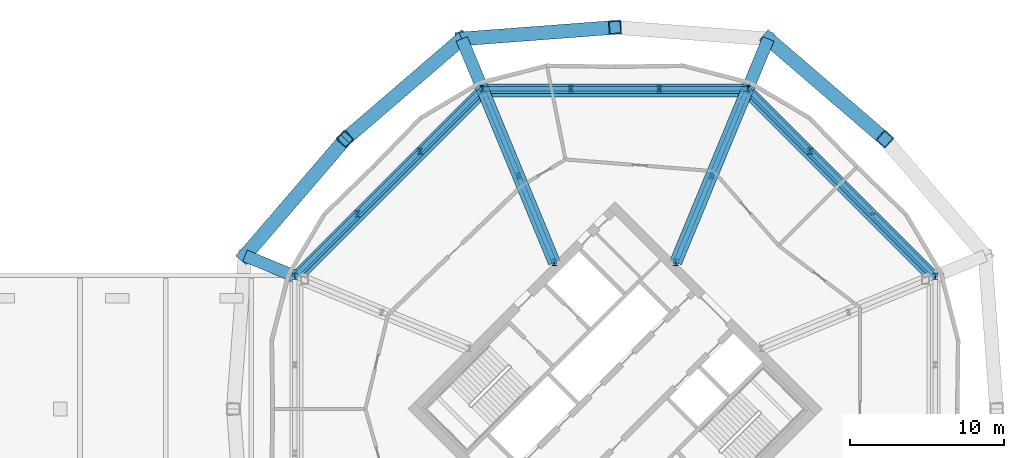
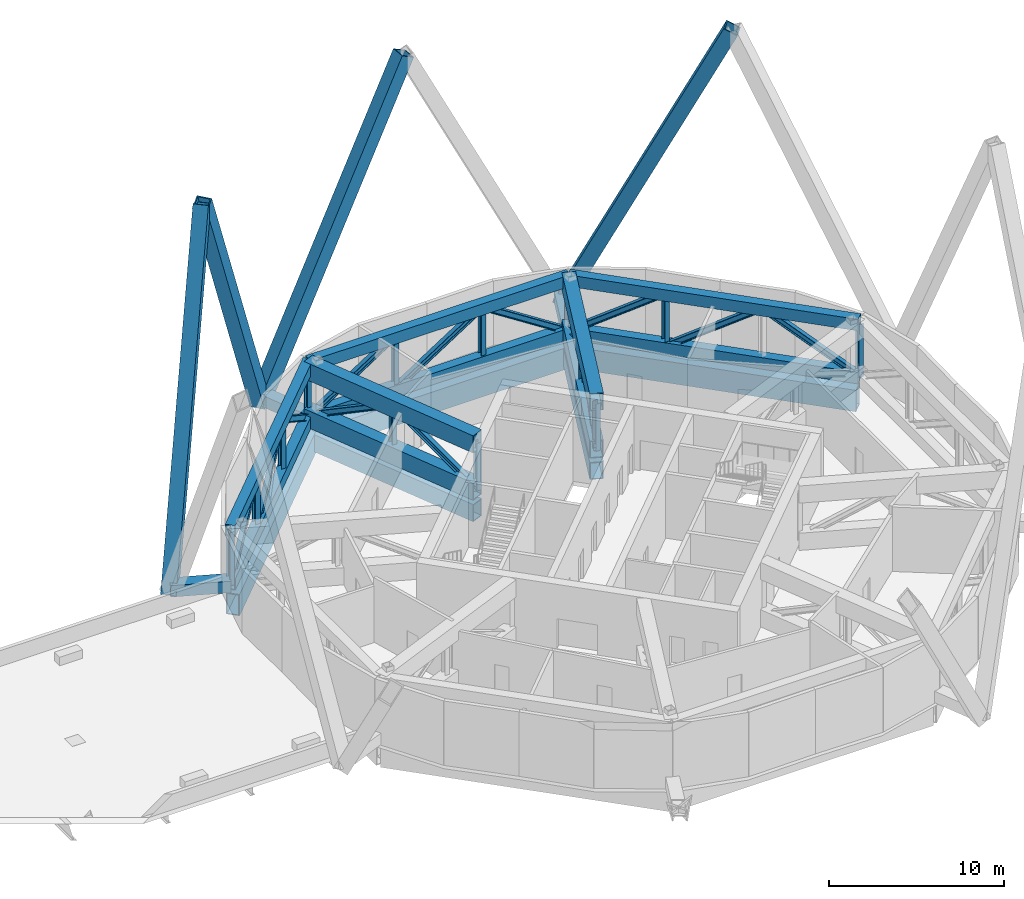
# One storey, part 9 of 20: 40 members, 8 beams.
"""IFC4 building model written with IfcOpenShell, lengths in metres."""

from ifc_helpers import new_model, si_unit, direction, frame, origin, origin_2d, place, context, subcontext, project, spatial, hollow_rectangle, i_section, extrude, material, material_profile, profile_set, type_object, element, save


model = new_model("IFC4")

# Units and contexts
model_context = context("Model", 3, precision=1e-05, world=origin(), true_north=direction((0.0, 1.0)))
body_context = subcontext(model_context, "Body", "Model", "MODEL_VIEW")
ifc_project = project(units=[si_unit("LENGTHUNIT", "METRE"), si_unit("AREAUNIT", "SQUARE_METRE"), si_unit("VOLUMEUNIT", "CUBIC_METRE"), si_unit("PLANEANGLEUNIT", "RADIAN"), si_unit("MASSUNIT", "GRAM", prefix="KILO")], contexts=[model_context])

# Site, building, storey
site_placement = place(None, origin())
site = spatial("IfcSite", under=ifc_project, at=site_placement, CompositionType="ELEMENT")
building_placement = place(site_placement, origin())
building = spatial("IfcBuilding", under=site, at=building_placement, Name="Ogive Gate Towers", CompositionType="ELEMENT")
storey_placement = place(building_placement, frame((0.0, 0.0, 160.800048828125)))
storey = spatial("IfcBuildingStorey", under=building, at=storey_placement, Name="L38", CompositionType="ELEMENT", Elevation=160.800048828125)

# Members
ifc_material = material(Name="Steel SM460", Category="steel")
ifc_material_profile_1 = material_profile(ifc_material, hollow_rectangle(XDim=0.89990234375, YDim=0.89990234375, WallThickness=0.070068359375, at=origin_2d()), Name="BX 900x900x70")
ifc_profile_set_1 = profile_set([ifc_material_profile_1], Name="Steel SM460")
member_type_1 = type_object("IfcMemberType", Name="Diagrid diagonal BX 900x900x70", PredefinedType="BRACE", material=ifc_profile_set_1)
member_1_placement = place(storey_placement, frame((45.94580078125, 24.01171875, 0.0), z_axis=(0.333025507377, -0.286407312058, 0.898367888471), x_axis=(0.652046304076, 0.758179145942, 0.0)))
element("IfcMember", 1, at=member_1_placement, inside=storey, type_object=member_type_1, Name="T2/L38/SDG003", PredefinedType="BRACE", context=body_context, shape_type="SweptSolid", body=[
    extrude(hollow_rectangle(XDim=0.89990234375, YDim=0.89990234375, WallThickness=0.070068359375, at=origin_2d()), origin(), (0.0, 0.0, 1.0), 22.707763671875),
])
member_2_placement = place(storey_placement, frame((26.05419921875, 24.01171875, 0.0), z_axis=(0.437994442779, 0.032953335145, 0.898373500165), x_axis=(-0.075024836873, 0.997181665421, 0.0)))
element("IfcMember", 2, at=member_2_placement, inside=storey, type_object=member_type_1, Name="T2/L38/SDG005", PredefinedType="BRACE", context=body_context, shape_type="SweptSolid", body=[
    extrude(hollow_rectangle(XDim=0.89990234375, YDim=0.89990234375, WallThickness=0.070068359375, at=origin_2d()), origin(), (0.0, 0.0, 1.0), 22.70751953125),
])
for number, where, z_axis, x_axis, name in (
    (3, (26.05419921875, 24.01171875, 0.0), (-0.333025507377, -0.286407312058, 0.898367888471), (0.652046304076, -0.758179145942, 0.0), "T2/L38/SDG006"),
    (4, (11.98828125, 9.94580078125, 0.0), (0.286407312058, 0.333025507377, 0.898367888471), (-0.758179145942, 0.652046304076, 0.0), "T2/L38/SDG007"),
):
    element("IfcMember", number, at=place(storey_placement, frame(where, z_axis=z_axis, x_axis=x_axis)), inside=storey, type_object=member_type_1, Name=name, PredefinedType="BRACE", context=body_context, shape_type="SweptSolid", body=[
        extrude(hollow_rectangle(XDim=0.89990234375, YDim=0.89990234375, WallThickness=0.070068359375, at=origin_2d()), origin(), (0.0, 0.0, 1.0), 22.707763671875),
    ])

# Beams
ifc_material_profile_2 = material_profile(ifc_material, hollow_rectangle(XDim=0.800048828125, YDim=1.5, WallThickness=0.06005859375, at=origin_2d()), Name="BX 1500x800x60")
ifc_profile_set_2 = profile_set([ifc_material_profile_2], Name="Steel SM460")
beam_type_1 = type_object("IfcBeamType", Name="Edge girder BX 1500x800x60", PredefinedType="BEAM", material=ifc_profile_set_2)
beam_1_placement = place(storey_placement, frame((56.639404296875, 8.549072265625, -1.050048828125), z_axis=(-0.707106781187, 0.707106781187, 0.0), x_axis=(-0.707106781187, -0.707106781187, 0.0)))
element("IfcBeam", 5, at=beam_1_placement, inside=storey, type_object=beam_type_1, Name="T2/L38/SBM013", PredefinedType="BEAM", context=body_context, shape_type="SweptSolid", body=[
    extrude(hollow_rectangle(XDim=0.800048828125, YDim=1.5, WallThickness=0.06005859375, at=origin_2d()), origin(), (0.0, 0.0, 1.0), 17.098388671875),
])
beam_2_placement = place(storey_placement, frame((44.549072265625, 20.639404296875, -1.050048828125), z_axis=(-1.0, 0.0, 0.0), x_axis=(0.0, -1.0, 0.0)))
element("IfcBeam", 6, at=beam_2_placement, inside=storey, type_object=beam_type_1, Name="T2/L38/SBM014", PredefinedType="BEAM", context=body_context, shape_type="SweptSolid", body=[
    extrude(hollow_rectangle(XDim=0.800048828125, YDim=1.5, WallThickness=0.06005859375, at=origin_2d()), origin(), (0.0, 0.0, 1.0), 17.09814453125),
])
beam_3_placement = place(storey_placement, frame((27.450927734375, 20.639404296875, -1.050048828125), z_axis=(-0.707106781187, -0.707106781187, 0.0), x_axis=(0.707106781187, -0.707106781187, 0.0)))
element("IfcBeam", 7, at=beam_3_placement, inside=storey, type_object=beam_type_1, Name="T2/L38/SBM015", PredefinedType="BEAM", context=body_context, shape_type="SweptSolid", body=[
    extrude(hollow_rectangle(XDim=0.800048828125, YDim=1.5, WallThickness=0.06005859375, at=origin_2d()), origin(), (0.0, 0.0, 1.0), 17.098388671875),
])
ifc_material_profile_3 = material_profile(ifc_material, hollow_rectangle(XDim=0.800048828125, YDim=0.800048828125, WallThickness=0.050048828125, at=origin_2d()), Name="BX 800x800x50")
ifc_profile_set_3 = profile_set([ifc_material_profile_3], Name="Steel SM460")
beam_type_2 = type_object("IfcBeamType", Name="Node arm BX 800x800x50", PredefinedType="BEAM", material=ifc_profile_set_3)
for number, where, z_axis, x_axis, name in (
    (8, (44.6064453125, 20.778076171875, 0.449951171875), (0.382668033682, 0.923885910704, 0.0), (-0.923885910704, 0.382668033682, 0.0), "T2/L38/SBM018"),
    (9, (27.3935546875, 20.778076171875, 0.449951171875), (-0.382668033682, 0.923885910704, 0.0), (-0.923885910704, -0.382668033682, 0.0), "T2/L38/SBM019"),
    (10, (15.221923828125, 8.6064453125, 0.449951171875), (-0.923885910704, 0.382668033682, 0.0), (-0.382668033682, -0.923885910704, 0.0), "T2/L38/SBM020"),
):
    element("IfcBeam", number, at=place(storey_placement, frame(where, z_axis=z_axis, x_axis=x_axis)), inside=storey, type_object=beam_type_2, Name=name, PredefinedType="BEAM", context=body_context, shape_type="SweptSolid", body=[
        extrude(hollow_rectangle(XDim=0.800048828125, YDim=0.800048828125, WallThickness=0.050048828125, at=origin_2d()), origin(), (0.0, 0.0, 1.0), 3.5),
    ])
ifc_material_profile_4 = material_profile(ifc_material, hollow_rectangle(XDim=0.800048828125, YDim=1.199951171875, WallThickness=0.050048828125, at=origin_2d()), Name="BX 1200x800x50")
ifc_profile_set_4 = profile_set([ifc_material_profile_4], Name="Steel SM460")
beam_type_3 = type_object("IfcBeamType", Name="Transfer radial beam BX 1200x800x50", PredefinedType="BEAM", material=ifc_profile_set_4)
for number, where, z_axis, x_axis, name in (
    (11, (39.93505859375, 9.5, -0.900146484375), (0.382677863518, 0.923881839184, 0.0), (-0.923881839184, 0.382677863518, 0.0), "T2/L38/SBM006"),
    (12, (32.06494140625, 9.5, -0.900146484375), (-0.382677863518, 0.923881839184, 0.0), (-0.923881839184, -0.382677863518, 0.0), "T2/L38/SBM007"),
):
    element("IfcBeam", number, at=place(storey_placement, frame(where, z_axis=z_axis, x_axis=x_axis)), inside=storey, type_object=beam_type_3, Name=name, PredefinedType="BEAM", context=body_context, shape_type="SweptSolid", body=[
        extrude(hollow_rectangle(XDim=0.800048828125, YDim=1.199951171875, WallThickness=0.050048828125, at=origin_2d()), origin(), (0.0, 0.0, 1.0), 12.05712890625),
    ])

# Members
ifc_material_profile_5 = material_profile(ifc_material, hollow_rectangle(XDim=0.800048828125, YDim=1.199951171875, WallThickness=0.050048828125, at=origin_2d()), Name="BX 1200x800x50")
ifc_profile_set_5 = profile_set([ifc_material_profile_5], Name="Steel SM460")
member_type_2 = type_object("IfcMemberType", Name="Truss chord BX 1200x800x50", PredefinedType="CHORD", material=ifc_profile_set_5)
for number, where, z_axis, x_axis, name in (
    (13, (39.93505859375, 9.5, 0.599853515625), (0.382673266464, 0.9238837433, 0.0), (-0.9238837433, 0.382673266464, 0.0), "T2/L38/STR024"),
    (14, (39.93505859375, 9.5, 3.89990234375), (0.382673266464, 0.9238837433, 0.0), (-0.9238837433, 0.382673266464, 0.0), "T2/L38/STR025"),
    (15, (32.06494140625, 9.5, 0.599853515625), (-0.382673266464, 0.9238837433, 0.0), (-0.9238837433, -0.382673266464, 0.0), "T2/L38/STR038"),
    (16, (32.06494140625, 9.5, 3.89990234375), (-0.382673266464, 0.9238837433, 0.0), (-0.9238837433, -0.382673266464, 0.0), "T2/L38/STR039"),
):
    element("IfcMember", number, at=place(storey_placement, frame(where, z_axis=z_axis, x_axis=x_axis)), inside=storey, type_object=member_type_2, Name=name, PredefinedType="CHORD", context=body_context, shape_type="SweptSolid", body=[
        extrude(hollow_rectangle(XDim=0.800048828125, YDim=1.199951171875, WallThickness=0.050048828125, at=origin_2d()), origin(), (0.0, 0.0, 1.0), 12.207275390625),
    ])
ifc_material_profile_6 = material_profile(ifc_material, hollow_rectangle(XDim=0.60009765625, YDim=0.800048828125, WallThickness=0.0400390625, at=origin_2d()), Name="BX 800x600x40")
ifc_profile_set_6 = profile_set([ifc_material_profile_6], Name="Steel SM460")
member_type_3 = type_object("IfcMemberType", Name="Truss chord BX 800x600x40", PredefinedType="CHORD", material=ifc_profile_set_6)
for number, where, z_axis, x_axis, name in (
    (17, (56.778076171875, 8.6064453125, 0.39990234375), (-0.707106781187, 0.707106781187, 0.0), (-0.707106781187, -0.707106781187, 0.0), "T2/L38/STR001"),
    (18, (56.778076171875, 8.6064453125, 4.099853515625), (-0.707106781187, 0.707106781187, 0.0), (-0.707106781187, -0.707106781187, 0.0), "T2/L38/STR002"),
):
    element("IfcMember", number, at=place(storey_placement, frame(where, z_axis=z_axis, x_axis=x_axis)), inside=storey, type_object=member_type_3, Name=name, PredefinedType="CHORD", context=body_context, shape_type="SweptSolid", body=[
        extrude(hollow_rectangle(XDim=0.60009765625, YDim=0.800048828125, WallThickness=0.0400390625, at=origin_2d()), origin(), (0.0, 0.0, 1.0), 17.21337890625),
    ])
for number, where, z_axis, x_axis, name in (
    (19, (44.6064453125, 20.778076171875, 0.39990234375), (-1.0, 0.0, 0.0), (0.0, -1.0, 0.0), "T2/L38/STR016"),
    (20, (44.6064453125, 20.778076171875, 4.099853515625), (-1.0, 0.0, 0.0), (0.0, -1.0, 0.0), "T2/L38/STR017"),
):
    element("IfcMember", number, at=place(storey_placement, frame(where, z_axis=z_axis, x_axis=x_axis)), inside=storey, type_object=member_type_3, Name=name, PredefinedType="CHORD", context=body_context, shape_type="SweptSolid", body=[
        extrude(hollow_rectangle(XDim=0.60009765625, YDim=0.800048828125, WallThickness=0.0400390625, at=origin_2d()), origin(), (0.0, 0.0, 1.0), 17.212890625),
    ])
for number, where, z_axis, x_axis, name in (
    (21, (27.3935546875, 20.778076171875, 0.39990234375), (-0.707106781187, -0.707106781187, 0.0), (0.707106781187, -0.707106781187, 0.0), "T2/L38/STR030"),
    (22, (27.3935546875, 20.778076171875, 4.099853515625), (-0.707106781187, -0.707106781187, 0.0), (0.707106781187, -0.707106781187, 0.0), "T2/L38/STR031"),
):
    element("IfcMember", number, at=place(storey_placement, frame(where, z_axis=z_axis, x_axis=x_axis)), inside=storey, type_object=member_type_3, Name=name, PredefinedType="CHORD", context=body_context, shape_type="SweptSolid", body=[
        extrude(hollow_rectangle(XDim=0.60009765625, YDim=0.800048828125, WallThickness=0.0400390625, at=origin_2d()), origin(), (0.0, 0.0, 1.0), 17.21337890625),
    ])
ifc_material_profile_7 = material_profile(ifc_material, i_section(OverallWidth=0.300048828125, OverallDepth=0.39990234375, WebThickness=0.013427734375, FlangeThickness=0.02392578125, FilletRadius=0.027099609375, at=origin_2d()), Name="HE 400 B")
ifc_profile_set_7 = profile_set([ifc_material_profile_7], Name="Steel SM460")
member_type_4 = type_object("IfcMemberType", Name="Truss diagonal HE 400 B", PredefinedType="BRACE", material=ifc_profile_set_7)
member_3_placement = place(storey_placement, frame((56.778076171875, 8.6064453125, 0.39990234375), z_axis=(-0.594262314662, 0.594262314662, 0.541945202714), x_axis=(-0.707106781187, -0.707106781187, 0.0)))
element("IfcMember", 23, at=member_3_placement, inside=storey, type_object=member_type_4, Name="T2/L38/STR003", PredefinedType="BRACE", context=body_context, shape_type="SweptSolid", body=[
    extrude(i_section(OverallWidth=0.300048828125, OverallDepth=0.39990234375, WebThickness=0.013427734375, FlangeThickness=0.02392578125, FilletRadius=0.027099609375, at=origin_2d()), origin(), (0.0, 0.0, 1.0), 6.8271484375),
])
member_4_placement = place(storey_placement, frame((52.720947265625, 12.66357421875, 4.099853515625), z_axis=(-0.594272816916, 0.594272816916, -0.541922169827), x_axis=(-0.707106781187, -0.707106781187, 0.0)))
element("IfcMember", 24, at=member_4_placement, inside=storey, type_object=member_type_4, Name="T2/L38/STR004", PredefinedType="BRACE", context=body_context, shape_type="SweptSolid", body=[
    extrude(i_section(OverallWidth=0.300048828125, OverallDepth=0.39990234375, WebThickness=0.013427734375, FlangeThickness=0.02392578125, FilletRadius=0.027099609375, at=origin_2d()), origin(), (0.0, 0.0, 1.0), 6.827392578125),
])
for number, where, z_axis, x_axis, name in (
    (25, (48.66357421875, 16.720947265625, 4.099853515625), (-0.594262314662, 0.594262314662, -0.541945202714), (-0.707106781187, -0.707106781187, 0.0), "T2/L38/STR005"),
    (26, (44.6064453125, 20.778076171875, 0.39990234375), (-0.840409613469, 0.0, 0.541951733634), (0.0, -1.0, 0.0), "T2/L38/STR018"),
):
    element("IfcMember", number, at=place(storey_placement, frame(where, z_axis=z_axis, x_axis=x_axis)), inside=storey, type_object=member_type_4, Name=name, PredefinedType="BRACE", context=body_context, shape_type="SweptSolid", body=[
        extrude(i_section(OverallWidth=0.300048828125, OverallDepth=0.39990234375, WebThickness=0.013427734375, FlangeThickness=0.02392578125, FilletRadius=0.027099609375, at=origin_2d()), origin(), (0.0, 0.0, 1.0), 6.8271484375),
    ])
member_5_placement = place(storey_placement, frame((38.868896484375, 20.778076171875, 4.099853515625), z_axis=(-0.840420116299, 0.0, -0.541935446452), x_axis=(0.0, -1.0, 0.0)))
element("IfcMember", 27, at=member_5_placement, inside=storey, type_object=member_type_4, Name="T2/L38/STR019", PredefinedType="BRACE", context=body_context, shape_type="SweptSolid", body=[
    extrude(i_section(OverallWidth=0.300048828125, OverallDepth=0.39990234375, WebThickness=0.013427734375, FlangeThickness=0.02392578125, FilletRadius=0.027099609375, at=origin_2d()), origin(), (0.0, 0.0, 1.0), 6.827392578125),
])
member_6_placement = place(storey_placement, frame((33.131103515625, 20.778076171875, 4.099853515625), z_axis=(-0.840409613469, 0.0, -0.541951733634), x_axis=(0.0, -1.0, 0.0)))
element("IfcMember", 28, at=member_6_placement, inside=storey, type_object=member_type_4, Name="T2/L38/STR020", PredefinedType="BRACE", context=body_context, shape_type="SweptSolid", body=[
    extrude(i_section(OverallWidth=0.300048828125, OverallDepth=0.39990234375, WebThickness=0.013427734375, FlangeThickness=0.02392578125, FilletRadius=0.027099609375, at=origin_2d()), origin(), (0.0, 0.0, 1.0), 6.8271484375),
])
member_7_placement = place(storey_placement, frame((39.93505859375, 9.5, 0.599853515625), z_axis=(0.336626678165, 0.812696392347, 0.47561229317), x_axis=(-0.923880814494, 0.382680337371, 0.0)))
element("IfcMember", 29, at=member_7_placement, inside=storey, type_object=member_type_4, Name="T2/L38/STR026", PredefinedType="BRACE", context=body_context, shape_type="SweptSolid", body=[
    extrude(i_section(OverallWidth=0.300048828125, OverallDepth=0.39990234375, WebThickness=0.013427734375, FlangeThickness=0.02392578125, FilletRadius=0.027099609375, at=origin_2d()), origin(), (0.0, 0.0, 1.0), 6.9384765625),
])
member_8_placement = place(storey_placement, frame((42.270751953125, 15.138916015625, 3.89990234375), z_axis=(0.336617052286, 0.812708338424, -0.475598692981), x_axis=(-0.923886671944, 0.382666195796, 0.0)))
element("IfcMember", 30, at=member_8_placement, inside=storey, type_object=member_type_4, Name="T2/L38/STR027", PredefinedType="BRACE", context=body_context, shape_type="SweptSolid", body=[
    extrude(i_section(OverallWidth=0.300048828125, OverallDepth=0.39990234375, WebThickness=0.013427734375, FlangeThickness=0.02392578125, FilletRadius=0.027099609375, at=origin_2d()), origin(), (0.0, 0.0, 1.0), 6.938720703125),
])
member_9_placement = place(storey_placement, frame((27.3935546875, 20.778076171875, 0.39990234375), z_axis=(-0.594262314662, -0.594262314662, 0.541945202714), x_axis=(0.707106781187, -0.707106781187, 0.0)))
element("IfcMember", 31, at=member_9_placement, inside=storey, type_object=member_type_4, Name="T2/L38/STR032", PredefinedType="BRACE", context=body_context, shape_type="SweptSolid", body=[
    extrude(i_section(OverallWidth=0.300048828125, OverallDepth=0.39990234375, WebThickness=0.013427734375, FlangeThickness=0.02392578125, FilletRadius=0.027099609375, at=origin_2d()), origin(), (0.0, 0.0, 1.0), 6.8271484375),
])
member_10_placement = place(storey_placement, frame((23.33642578125, 16.720947265625, 4.099853515625), z_axis=(-0.594272816916, -0.594272816916, -0.541922169827), x_axis=(0.707106781187, -0.707106781187, 0.0)))
element("IfcMember", 32, at=member_10_placement, inside=storey, type_object=member_type_4, Name="T2/L38/STR033", PredefinedType="BRACE", context=body_context, shape_type="SweptSolid", body=[
    extrude(i_section(OverallWidth=0.300048828125, OverallDepth=0.39990234375, WebThickness=0.013427734375, FlangeThickness=0.02392578125, FilletRadius=0.027099609375, at=origin_2d()), origin(), (0.0, 0.0, 1.0), 6.827392578125),
])
member_11_placement = place(storey_placement, frame((19.279052734375, 12.66357421875, 4.099853515625), z_axis=(-0.594262314662, -0.594262314662, -0.541945202714), x_axis=(0.707106781187, -0.707106781187, 0.0)))
element("IfcMember", 33, at=member_11_placement, inside=storey, type_object=member_type_4, Name="T2/L38/STR034", PredefinedType="BRACE", context=body_context, shape_type="SweptSolid", body=[
    extrude(i_section(OverallWidth=0.300048828125, OverallDepth=0.39990234375, WebThickness=0.013427734375, FlangeThickness=0.02392578125, FilletRadius=0.027099609375, at=origin_2d()), origin(), (0.0, 0.0, 1.0), 6.8271484375),
])
member_12_placement = place(storey_placement, frame((32.06494140625, 9.5, 0.599853515625), z_axis=(-0.336626678165, 0.812696392347, 0.47561229317), x_axis=(-0.923880814494, -0.382680337371, 0.0)))
element("IfcMember", 34, at=member_12_placement, inside=storey, type_object=member_type_4, Name="T2/L38/STR040", PredefinedType="BRACE", context=body_context, shape_type="SweptSolid", body=[
    extrude(i_section(OverallWidth=0.300048828125, OverallDepth=0.39990234375, WebThickness=0.013427734375, FlangeThickness=0.02392578125, FilletRadius=0.027099609375, at=origin_2d()), origin(), (0.0, 0.0, 1.0), 6.9384765625),
])
member_13_placement = place(storey_placement, frame((29.729248046875, 15.138916015625, 3.89990234375), z_axis=(-0.336617052286, 0.812708338424, -0.475598692981), x_axis=(-0.923886671944, -0.382666195796, 0.0)))
element("IfcMember", 35, at=member_13_placement, inside=storey, type_object=member_type_4, Name="T2/L38/STR041", PredefinedType="BRACE", context=body_context, shape_type="SweptSolid", body=[
    extrude(i_section(OverallWidth=0.300048828125, OverallDepth=0.39990234375, WebThickness=0.013427734375, FlangeThickness=0.02392578125, FilletRadius=0.027099609375, at=origin_2d()), origin(), (0.0, 0.0, 1.0), 6.938720703125),
])
ifc_material_profile_8 = material_profile(ifc_material, i_section(OverallWidth=0.300048828125, OverallDepth=0.39990234375, WebThickness=0.013427734375, FlangeThickness=0.02392578125, FilletRadius=0.027099609375, at=origin_2d()), Name="HE 400 B")
ifc_profile_set_8 = profile_set([ifc_material_profile_8], Name="Steel SM460")
member_type_5 = type_object("IfcMemberType", Name="Truss post HE 400 B", PredefinedType="POST", material=ifc_profile_set_8)
for number, where, z_axis, x_axis, name in (
    (36, (56.778076171875, 8.6064453125, 0.39990234375), (0.0, 0.0, 1.0), (1.0, 0.0, 0.0), "T2/L38/STR006"),
    (37, (48.66357421875, 16.720947265625, 0.39990234375), (0.0, 0.0, 1.0), (1.0, 0.0, 0.0), "T2/L38/STR008"),
    (38, (44.6064453125, 20.778076171875, 0.39990234375), (0.0, 0.0, 1.0), (1.0, 0.0, 0.0), "T2/L38/STR009"),
    (39, (38.868896484375, 20.778076171875, 0.39990234375), (0.0, 0.0, 1.0), (1.0, 0.0, 0.0), "T2/L38/STR021"),
    (40, (33.131103515625, 20.778076171875, 0.39990234375), (0.0, 0.0, 1.0), (1.0, 0.0, 0.0), "T2/L38/STR022"),
    (41, (27.3935546875, 20.778076171875, 0.39990234375), (0.0, 0.0, 1.0), (1.0, 0.0, 0.0), "T2/L38/STR023"),
):
    element("IfcMember", number, at=place(storey_placement, frame(where, z_axis=z_axis, x_axis=x_axis)), inside=storey, type_object=member_type_5, Name=name, PredefinedType="POST", context=body_context, shape_type="SweptSolid", body=[
        extrude(i_section(OverallWidth=0.300048828125, OverallDepth=0.39990234375, WebThickness=0.013427734375, FlangeThickness=0.02392578125, FilletRadius=0.027099609375, at=origin_2d()), origin(), (0.0, 0.0, 1.0), 3.699951171875),
    ])
for number, where, z_axis, x_axis, name in (
    (42, (39.93505859375, 9.5, 0.599853515625), (0.0, 0.0, 1.0), (1.0, 0.0, 0.0), "T2/L38/STR028"),
    (43, (42.270751953125, 15.138916015625, 0.599853515625), (0.0, 0.0, 1.0), (1.0, 0.0, 0.0), "T2/L38/STR029"),
):
    element("IfcMember", number, at=place(storey_placement, frame(where, z_axis=z_axis, x_axis=x_axis)), inside=storey, type_object=member_type_5, Name=name, PredefinedType="POST", context=body_context, shape_type="SweptSolid", body=[
        extrude(i_section(OverallWidth=0.300048828125, OverallDepth=0.39990234375, WebThickness=0.013427734375, FlangeThickness=0.02392578125, FilletRadius=0.027099609375, at=origin_2d()), origin(), (0.0, 0.0, 1.0), 3.300048828125),
    ])
for number, where, z_axis, x_axis, name in (
    (44, (23.33642578125, 16.720947265625, 0.39990234375), (0.0, 0.0, 1.0), (1.0, 0.0, 0.0), "T2/L38/STR035"),
    (45, (19.279052734375, 12.66357421875, 0.39990234375), (0.0, 0.0, 1.0), (1.0, 0.0, 0.0), "T2/L38/STR036"),
    (46, (15.221923828125, 8.6064453125, 0.39990234375), (0.0, 0.0, 1.0), (1.0, 0.0, 0.0), "T2/L38/STR037"),
):
    element("IfcMember", number, at=place(storey_placement, frame(where, z_axis=z_axis, x_axis=x_axis)), inside=storey, type_object=member_type_5, Name=name, PredefinedType="POST", context=body_context, shape_type="SweptSolid", body=[
        extrude(i_section(OverallWidth=0.300048828125, OverallDepth=0.39990234375, WebThickness=0.013427734375, FlangeThickness=0.02392578125, FilletRadius=0.027099609375, at=origin_2d()), origin(), (0.0, 0.0, 1.0), 3.699951171875),
    ])
for number, where, z_axis, x_axis, name in (
    (47, (32.06494140625, 9.5, 0.599853515625), (0.0, 0.0, 1.0), (1.0, 0.0, 0.0), "T2/L38/STR042"),
    (48, (29.729248046875, 15.138916015625, 0.599853515625), (0.0, 0.0, 1.0), (1.0, 0.0, 0.0), "T2/L38/STR043"),
):
    element("IfcMember", number, at=place(storey_placement, frame(where, z_axis=z_axis, x_axis=x_axis)), inside=storey, type_object=member_type_5, Name=name, PredefinedType="POST", context=body_context, shape_type="SweptSolid", body=[
        extrude(i_section(OverallWidth=0.300048828125, OverallDepth=0.39990234375, WebThickness=0.013427734375, FlangeThickness=0.02392578125, FilletRadius=0.027099609375, at=origin_2d()), origin(), (0.0, 0.0, 1.0), 3.300048828125),
    ])

save(model, "model.ifc")
